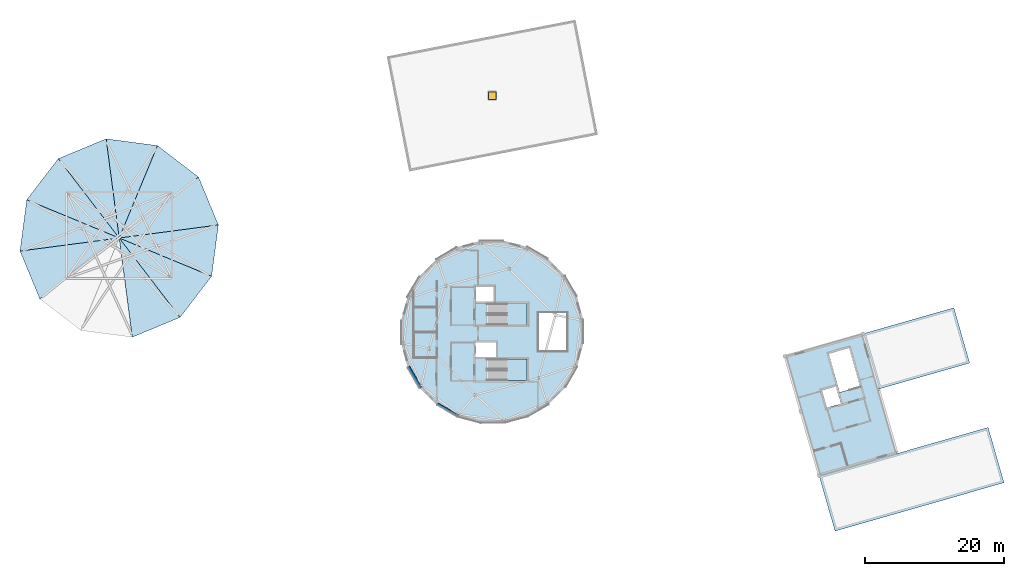
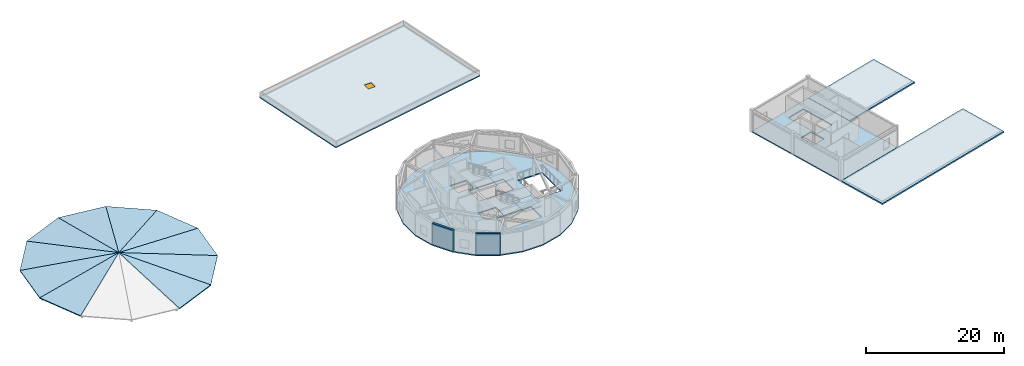
# One storey, part 5 of 11: 17 slabs, 2 walls, 1 door, 1 opening, 2 elements without a shape of their own.
"""IFC4 building model written with IfcOpenShell, lengths in metres."""

import ifcopenshell
import ifcopenshell.guid

model = None  # the IFC model being written
_history = None  # IfcOwnerHistory: only IFC2X3 demands one
_inside = {}  # id of a spatial element -> (the spatial element, [elements in it])
_under = {}  # id of a project, library or spatial element -> (it, [spatial elements below it])
_declared = {}  # id of a project -> (the project, [libraries it declares])
_typed = {}  # id of a type object -> (the type object, [elements of that type])
_made_of = {}  # id of a material, layer set ... -> (it, [elements and type objects made of it])


def new_model(schema):
    """Start an empty IFC model of exactly this schema.

    Asked for "IFC4X3", IfcOpenShell would pick the latest addendum, in which some entities
    have other attributes; the version numbers below select the first issue.
    IFC2X3 requires an IfcOwnerHistory on every rooted entity: one is made here for all.
    """
    global model, _history
    if schema == "IFC4X3":
        model = ifcopenshell.file(schema_version=(4, 3, 0, 0))
    else:
        model = ifcopenshell.file(schema=schema)
    _inside.clear()
    _under.clear()
    _declared.clear()
    _typed.clear()
    _made_of.clear()
    _history = None
    if model.schema == "IFC2X3":
        org = make("IfcOrganization", Name="unknown")
        user = make(
            "IfcPersonAndOrganization",
            ThePerson=make("IfcPerson", FamilyName="unknown"),
            TheOrganization=org,
        )
        app = make(
            "IfcApplication",
            ApplicationDeveloper=org,
            Version="unknown",
            ApplicationFullName="unknown",
            ApplicationIdentifier="unknown",
        )
        _history = make(
            "IfcOwnerHistory",
            OwningUser=user,
            OwningApplication=app,
            ChangeAction="ADDED",
            CreationDate=0,
        )
    return model


def make(cls, **values):
    """One entity of the class cls with the attributes given. An attribute that is None is left unset."""
    return model.create_entity(
        cls, **{name: value for name, value in values.items() if value is not None}
    )


def rooted(cls, **values):
    """An entity with a GlobalId (a new one), such as an element, a storey or a relation."""
    return make(cls, GlobalId=ifcopenshell.guid.new(), OwnerHistory=_history, **values)


def si_unit(unit_type, name, prefix=None):
    """IfcSIUnit, for example si_unit("LENGTHUNIT", "METRE", prefix="MILLI")."""
    return make("IfcSIUnit", UnitType=unit_type, Prefix=prefix, Name=name)


def assignment(units):
    """IfcUnitAssignment: the units of a project."""
    return None if units is None else make("IfcUnitAssignment", Units=units)


def point(xyz):
    """IfcCartesianPoint."""
    return None if xyz is None else make("IfcCartesianPoint", Coordinates=xyz)


def direction(xyz):
    """IfcDirection."""
    return None if xyz is None else make("IfcDirection", DirectionRatios=xyz)


def frame(location, z_axis=None, x_axis=None):
    """IfcAxis2Placement3D, a coordinate frame: its origin and axes. An axis left out is left unset."""
    return make(
        "IfcAxis2Placement3D",
        Location=point(location),
        Axis=direction(z_axis),
        RefDirection=direction(x_axis),
    )


def frame_2d(location, x_axis=None):
    """IfcAxis2Placement2D, a coordinate frame in the plane: its origin and x axis."""
    return make(
        "IfcAxis2Placement2D", Location=point(location), RefDirection=direction(x_axis)
    )


def origin():
    """The frame at (0, 0, 0) with its axes left unset."""
    return frame((0.0, 0.0, 0.0))


def origin_2d():
    """The frame at (0, 0) in the plane with its x axis left unset."""
    return frame_2d((0.0, 0.0))


def place(relative_to, where):
    """IfcLocalPlacement: puts the frame where relative to a parent placement (None: the world)."""
    return make(
        "IfcLocalPlacement", PlacementRelTo=relative_to, RelativePlacement=where
    )


def context(
    kind, dimensions, precision=None, world=None, true_north=None, identifier=None
):
    """IfcGeometricRepresentationContext, for example the 3D "Model" context."""
    return make(
        "IfcGeometricRepresentationContext",
        ContextIdentifier=identifier,
        ContextType=kind,
        CoordinateSpaceDimension=dimensions,
        Precision=precision,
        WorldCoordinateSystem=world,
        TrueNorth=true_north,
    )


def subcontext(parent, identifier, kind, view, scale=None):
    """IfcGeometricRepresentationSubContext, for example "Body" below "Model"."""
    return make(
        "IfcGeometricRepresentationSubContext",
        ContextIdentifier=identifier,
        ContextType=kind,
        ParentContext=parent,
        TargetScale=scale,
        TargetView=view,
    )


def project(units=None, contexts=None):
    """IfcProject with its units and contexts."""
    return rooted(
        "IfcProject",
        Name="project",
        RepresentationContexts=contexts,
        UnitsInContext=assignment(units),
    )


def spatial(cls, under=None, at=None, **own):
    """A site, building, storey or space (cls), placed at a placement, below another one or the project."""
    s = rooted(cls, ObjectPlacement=at, **own)
    if under is not None:
        _under.setdefault(under.id(), (under, []))[1].append(s)
    return s


def polyline(points):
    """IfcPolyline through the points."""
    return make("IfcPolyline", Points=[point(p) for p in points])


def profile(cls, at=None, kind="AREA", **sizes):
    """A parametric profile (cls). Its sizes go by their IFC names, for example OverallWidth=200.0."""
    return make(cls, ProfileType=kind, Position=at, **sizes)


def rectangle(**sizes):
    """IfcRectangleProfileDef."""
    return profile("IfcRectangleProfileDef", **sizes)


def outline(outer, holes=None, kind="AREA"):
    """IfcArbitraryClosedProfileDef: a profile drawn as a closed curve; with holes, ...WithVoids."""
    if holes is None:
        return make("IfcArbitraryClosedProfileDef", ProfileType=kind, OuterCurve=outer)
    return make(
        "IfcArbitraryProfileDefWithVoids",
        ProfileType=kind,
        OuterCurve=outer,
        InnerCurves=holes,
    )


def extrude(swept, where, along, depth):
    """IfcExtrudedAreaSolid: the profile swept, set in the frame where, extruded along a direction by depth."""
    return make(
        "IfcExtrudedAreaSolid",
        SweptArea=swept,
        Position=where,
        ExtrudedDirection=direction(along),
        Depth=depth,
    )


def shape(context_of_items, identifier, shape_type, items):
    """IfcShapeRepresentation: the items that make up one representation, for example the "Body"."""
    return make(
        "IfcShapeRepresentation",
        ContextOfItems=context_of_items,
        RepresentationIdentifier=identifier,
        RepresentationType=shape_type,
        Items=items,
    )


def material(Name=None, Category=None):
    """IfcMaterial."""
    return make("IfcMaterial", Name=Name, Category=Category)


def layer(
    of_material, thickness, ventilated=None, Name=None, Category=None, Priority=None
):
    """IfcMaterialLayer: one layer of a wall or slab, of a material (None: an air gap)."""
    return make(
        "IfcMaterialLayer",
        Material=of_material,
        LayerThickness=thickness,
        IsVentilated=ventilated,
        Name=Name,
        Category=Category,
        Priority=Priority,
    )


def layer_set(layers, Name=None):
    """IfcMaterialLayerSet."""
    return make("IfcMaterialLayerSet", MaterialLayers=layers, LayerSetName=Name)


def made_of(thing, what):
    """Note that an element or type object is made of a material, layer set ...; save() writes the relation."""
    if what is not None:
        _made_of.setdefault(what.id(), (what, []))[1].append(thing)
    return thing


def type_object(cls, material=None, **own):
    """A type object (cls), such as IfcWallType, which elements share."""
    return made_of(rooted(cls, **own), material)


def element(
    cls,
    number,
    at=None,
    inside=None,
    cuts=None,
    type_object=None,
    material=None,
    context=None,
    identifier="Body",
    shape_type=None,
    held_by="IfcProductDefinitionShape",
    body=None,
    shapes=None,
    **own,
):
    """One element of the class cls, such as IfcWall. Its Tag is "e" and its number.

    at: its placement. inside: the storey or other place that contains it. cuts: it is an
    opening in that element (IfcRelVoidsElement). A single representation is given by context,
    identifier, shape_type and body (its items); several are given by shapes. held_by: the class
    of the entity that holds the representations. save() writes the other relations.
    """
    e = rooted(cls, Tag="e%d" % number, ObjectPlacement=at, **own)
    if body is not None:
        shapes = [shape(context, identifier, shape_type, body)]
    if shapes is not None:
        e.Representation = make(held_by, Representations=shapes)
    if inside is not None:
        _inside.setdefault(inside.id(), (inside, []))[1].append(e)
    if cuts is not None:
        rooted(
            "IfcRelVoidsElement", RelatingBuildingElement=cuts, RelatedOpeningElement=e
        )
    if type_object is not None:
        _typed.setdefault(type_object.id(), (type_object, []))[1].append(e)
    return made_of(e, material)


def fill(opening, filler):
    """IfcRelFillsElement: the door or window that sits in an opening."""
    return rooted(
        "IfcRelFillsElement",
        RelatingOpeningElement=opening,
        RelatedBuildingElement=filler,
    )


def aggregate(whole, parts):
    """IfcRelAggregates: a whole, such as a stair, and the parts it consists of."""
    return rooted("IfcRelAggregates", RelatingObject=whole, RelatedObjects=parts)


def save(model, path):
    """Write the relations noted so far, then the file.

    IfcRelAggregates (storeys below a building ...), IfcRelContainedInSpatialStructure (elements
    in a storey), IfcRelDefinesByType, IfcRelAssociatesMaterial and IfcRelDeclares: one each for
    every whole, place, type object, material and project.
    """
    for whole, parts in _under.values():
        aggregate(whole, parts)
    for where, things in _inside.values():
        rooted(
            "IfcRelContainedInSpatialStructure",
            RelatedElements=things,
            RelatingStructure=where,
        )
    for kind, things in _typed.values():
        rooted("IfcRelDefinesByType", RelatedObjects=things, RelatingType=kind)
    for what, things in _made_of.values():
        rooted("IfcRelAssociatesMaterial", RelatedObjects=things, RelatingMaterial=what)
    for by, libraries in _declared.values():
        rooted("IfcRelDeclares", RelatingContext=by, RelatedDefinitions=libraries)
    model.write(path)


model = new_model("IFC4")

# Units and contexts
model_context = context("Model", 3, precision=1e-05, world=origin(), true_north=direction((0.0, 1.0)))
body_context = subcontext(model_context, "Body", "Model", "MODEL_VIEW")
ifc_project = project(units=[si_unit("LENGTHUNIT", "METRE"), si_unit("AREAUNIT", "SQUARE_METRE"), si_unit("VOLUMEUNIT", "CUBIC_METRE"), si_unit("PLANEANGLEUNIT", "RADIAN"), si_unit("MASSUNIT", "GRAM", prefix="KILO")], contexts=[model_context])

# Site, building, storey
site_placement = place(None, origin())
site = spatial("IfcSite", under=ifc_project, at=site_placement, CompositionType="ELEMENT")
building_placement = place(site_placement, origin())
building = spatial("IfcBuilding", under=site, at=building_placement, Name="Varnklinge Art Gallery", CompositionType="ELEMENT")
storey_placement = place(building_placement, frame((0.0, 0.0, 17.639892578125)))
storey = spatial("IfcBuildingStorey", under=building, at=storey_placement, Name="L04", CompositionType="ELEMENT", Elevation=17.639892578125)

# Slabs
ifc_material_1 = material(Name="Concrete C35/45", Category="concrete")
ifc_layer_1 = layer(ifc_material_1, 0.199951171875)
ifc_layer_set_1 = layer_set([ifc_layer_1], Name="Concrete C35/45")
slab_type_1 = type_object("IfcSlabType", Name="SLB-F20", PredefinedType="FLOOR", material=ifc_layer_set_1)
slab_1_placement = place(storey_placement, frame((0.0, 0.0, -0.199951171875)))
element("IfcSlab", 1, at=slab_1_placement, inside=storey, type_object=slab_type_1, Name="L04 Pavilion Drum Floor Slab", PredefinedType="FLOOR", context=body_context, shape_type="SweptSolid", body=[
    extrude(outline(polyline([(83.53564453125, 28.027587890625), (85.972412109375, 30.46435546875), (87.6953125, 33.448486328125), (88.587158203125, 36.777099609375), (88.587158203125, 40.222900390625), (87.6953125, 43.551513671875), (85.972412109375, 46.53564453125), (83.53564453125, 48.972412109375), (80.551513671875, 50.6953125), (77.222900390625, 51.587158203125), (73.777099609375, 51.587158203125), (70.448486328125, 50.6953125), (67.46435546875, 48.972412109375), (65.027587890625, 46.53564453125), (63.3046875, 43.551513671875), (62.412841796875, 40.222900390625), (62.412841796875, 36.777099609375), (63.3046875, 33.448486328125), (65.027587890625, 30.46435546875), (67.46435546875, 28.027587890625), (70.448486328125, 26.3046875), (73.777099609375, 25.412841796875), (77.222900390625, 25.412841796875), (80.551513671875, 26.3046875), (83.53564453125, 28.027587890625)]), holes=[polyline([(80.5, 31.5), (74.72509765625, 31.5), (74.72509765625, 34.56005859375), (80.5, 34.56005859375), (80.5, 31.5)]), polyline([(73.10009765625, 34.860107421875), (73.10009765625, 36.9599609375), (76.0, 36.9599609375), (76.0, 34.860107421875), (73.10009765625, 34.860107421875)]), polyline([(82.199951171875, 41.199951171875), (86.199951171875, 41.199951171875), (86.199951171875, 35.800048828125), (82.199951171875, 35.800048828125), (82.199951171875, 41.199951171875)]), polyline([(80.5, 39.5), (74.72509765625, 39.5), (74.72509765625, 42.56005859375), (80.5, 42.56005859375), (80.5, 39.5)]), polyline([(73.10009765625, 42.860107421875), (73.10009765625, 44.9599609375), (75.699951171875, 44.9599609375), (75.699951171875, 42.860107421875), (73.10009765625, 42.860107421875)])]), origin(), (0.0, 0.0, 1.0), 0.199951171875),
])
slab_2_placement = place(storey_placement, frame((0.0, 0.0, -0.199951171875)))
element("IfcSlab", 2, at=slab_2_placement, inside=storey, type_object=slab_type_1, Name="L04 Artists Studios Courtyard Wing Slab", PredefinedType="FLOOR", context=body_context, shape_type="SweptSolid", body=[
    extrude(outline(polyline([(117.605712890625, 34.9931640625), (122.539794921875, 17.78662109375), (133.78662109375, 21.01171875), (128.8525390625, 38.21826171875), (117.605712890625, 34.9931640625)]), holes=[polyline([(123.6552734375, 27.565185546875), (122.9384765625, 30.064453125), (124.95703125, 30.643310546875), (125.673828125, 28.14404296875), (123.6552734375, 27.565185546875)]), polyline([(123.92236328125, 35.340087890625), (126.864013671875, 36.18359375), (128.455810546875, 30.632080078125), (125.51416015625, 29.788818359375), (123.92236328125, 35.340087890625)])]), origin(), (0.0, 0.0, 1.0), 0.199951171875),
])
ifc_material_2 = material(Name="Concrete C40/50", Category="concrete")
ifc_layer_2 = layer(ifc_material_2, 0.179931640625)
ifc_layer_set_2 = layer_set([ifc_layer_2], Name="Concrete C40/50")
slab_type_2 = type_object("IfcSlabType", Name="SLB-FOLD18", PredefinedType="ROOF", material=ifc_layer_set_2)
slab_3_placement = place(storey_placement, frame((36.076904296875, 53.879638671875, 0.0), z_axis=(0.121165095763, 0.050189420317, 0.991362719521), x_axis=(-0.382691205635, 0.923876312679, 0.0)))
element("IfcSlab", 3, at=slab_3_placement, inside=storey, type_object=slab_type_2, Name="Auditorium Drum Folded Roof Facet 1", PredefinedType="ROOF", context=body_context, shape_type="SweptSolid", body=[
    extrude(outline(polyline([(0.0, 0.0), (7.453892382417051, -4.440892098500626e-16), (3.727073386670102, 14.030555620786549), (0.0, 0.0)])), origin(), (0.0, 0.0, -1.0), 0.179931640625),
])
slab_4_placement = place(storey_placement, frame((33.224365234375, 60.76611328125, 0.0), z_axis=(0.079838645072, 0.1040475332, 0.991362648877), x_axis=(-0.79335273335, 0.608762219989, 0.0)))
element("IfcSlab", 4, at=slab_4_placement, inside=storey, type_object=slab_type_2, Name="Auditorium Drum Folded Roof Facet 2", PredefinedType="ROOF", context=body_context, shape_type="SweptSolid", body=[
    extrude(outline(polyline([(0.0, 0.0), (7.454210606170619, 0.0), (3.727034065792945, 14.030498491766581), (0.0, 0.0)])), origin(), (0.0, 0.0, -1.0), 0.179931640625),
])
slab_5_placement = place(storey_placement, frame((27.310546875, 65.303955078125, 0.0), z_axis=(0.017117796037, 0.130026520967, 0.991362741333), x_axis=(-0.991445374669, 0.130522293296, 0.0)))
element("IfcSlab", 5, at=slab_5_placement, inside=storey, type_object=slab_type_2, Name="Auditorium Drum Folded Roof Facet 3", PredefinedType="ROOF", context=body_context, shape_type="SweptSolid", body=[
    extrude(outline(polyline([(0.0, 0.0), (7.453902058109919, 1.1102230246251565e-16), (3.726895073999666, 14.030573259778198), (0.0, 0.0)])), origin(), (0.0, 0.0, -1.0), 0.179931640625),
])
slab_6_placement = place(storey_placement, frame((19.92041015625, 66.27685546875, 0.0), z_axis=(-0.050187735966, 0.121165324899, 0.991362776788), x_axis=(-0.923881109287, -0.38267962567, 0.0)))
element("IfcSlab", 6, at=slab_6_placement, inside=storey, type_object=slab_type_2, Name="Auditorium Drum Folded Roof Facet 4", PredefinedType="ROOF", context=body_context, shape_type="SweptSolid", body=[
    extrude(outline(polyline([(0.0, 0.0), (7.454117938742984, 0.0), (3.7268990452992807, 14.030601931626345), (0.0, 0.0)])), origin(), (0.0, 0.0, -1.0), 0.179931640625),
])
slab_7_placement = place(storey_placement, frame((13.03369140625, 63.42431640625, 0.0), z_axis=(-0.104048895745, 0.079835395133, 0.991362767597), x_axis=(-0.608741604956, -0.793368551428, 0.0)))
element("IfcSlab", 7, at=slab_7_placement, inside=storey, type_object=slab_type_2, Name="Auditorium Drum Folded Roof Facet 5", PredefinedType="ROOF", context=body_context, shape_type="SweptSolid", body=[
    extrude(outline(polyline([(0.0, 0.0), (7.454061985098214, 4.440892098500626e-16), (3.7272468716765585, 14.030594499199882), (0.0, 0.0)])), origin(), (0.0, 0.0, -1.0), 0.179931640625),
])
slab_8_placement = place(storey_placement, frame((8.49609375, 57.510498046875, 0.0), z_axis=(-0.130026520967, 0.017117796037, 0.991362741333), x_axis=(-0.130522293296, -0.991445374669, 0.0)))
element("IfcSlab", 8, at=slab_8_placement, inside=storey, type_object=slab_type_2, Name="Auditorium Drum Folded Roof Facet 6", PredefinedType="ROOF", context=body_context, shape_type="SweptSolid", body=[
    extrude(outline(polyline([(0.0, 0.0), (7.453902058109919, 1.1102230246251565e-16), (3.726895073999666, 14.030573259778198), (0.0, 0.0)])), origin(), (0.0, 0.0, -1.0), 0.179931640625),
])
for number, where, z_axis, x_axis, name in (
    (9, (7.523193359375, 50.120361328125, 0.0), (-0.121165095763, -0.050189420317, 0.991362719521), (0.382691205635, -0.923876312679, 0.0), "Auditorium Drum Folded Roof Facet 7"),
    (10, (23.6796875, 37.72314453125, 0.0), (0.050189420317, -0.121165095763, 0.991362719521), (0.923876312679, 0.382691205635, 0.0), "Auditorium Drum Folded Roof Facet 10"),
):
    element("IfcSlab", number, at=place(storey_placement, frame(where, z_axis=z_axis, x_axis=x_axis)), inside=storey, type_object=slab_type_2, Name=name, PredefinedType="ROOF", context=body_context, shape_type="SweptSolid", body=[
        extrude(outline(polyline([(0.0, 0.0), (7.453892382417051, -4.440892098500626e-16), (3.727073386670102, 14.030555620786549), (0.0, 0.0)])), origin(), (0.0, 0.0, -1.0), 0.179931640625),
    ])
slab_9_placement = place(storey_placement, frame((30.566162109375, 40.57568359375, 0.0), z_axis=(0.1040475332, -0.079838645072, 0.991362648877), x_axis=(0.608762219989, 0.79335273335, 0.0)))
element("IfcSlab", 11, at=slab_9_placement, inside=storey, type_object=slab_type_2, Name="Auditorium Drum Folded Roof Facet 11", PredefinedType="ROOF", context=body_context, shape_type="SweptSolid", body=[
    extrude(outline(polyline([(0.0, 0.0), (7.454210606170619, 0.0), (3.727034065792945, 14.030498491766581), (0.0, 0.0)])), origin(), (0.0, 0.0, -1.0), 0.179931640625),
])
slab_10_placement = place(storey_placement, frame((35.10400390625, 46.489501953125, 0.0), z_axis=(0.130026520967, -0.017117796037, 0.991362741333), x_axis=(0.130522293296, 0.991445374669, 0.0)))
element("IfcSlab", 12, at=slab_10_placement, inside=storey, type_object=slab_type_2, Name="Auditorium Drum Folded Roof Facet 12", PredefinedType="ROOF", context=body_context, shape_type="SweptSolid", body=[
    extrude(outline(polyline([(0.0, 0.0), (7.453902058109919, 1.1102230246251565e-16), (3.726895073999666, 14.030573259778198), (0.0, 0.0)])), origin(), (0.0, 0.0, -1.0), 0.179931640625),
])

# Stair, slab
ifc_material_3 = material(Name="Concrete C40/50", Category="concrete")
stair_type = type_object("IfcStairType", Name="STR-C3960", PredefinedType="HALF_TURN_STAIR", material=ifc_material_3)
stair_1_placement = place(storey_placement, origin())
stair_1 = element("IfcStair", 13, at=stair_1_placement, inside=storey, type_object=stair_type, Name="L04 Core C1 Stair ST-01", PredefinedType="HALF_TURN_STAIR")
ifc_material_4 = material(Name="Concrete C40/50", Category="concrete")
ifc_layer_3 = layer(ifc_material_4, 0.199951171875)
ifc_layer_set_3 = layer_set([ifc_layer_3], Name="Concrete C40/50")
slab_type_3 = type_object("IfcSlabType", Name="SLB-LND20", PredefinedType="LANDING", material=ifc_layer_set_3)
slab_11_placement = place(storey_placement, frame((0.0, 0.0, 1.780029296875)))
slab_11 = element("IfcSlab", 14, at=slab_11_placement, type_object=slab_type_3, Name="ST-01 landing 1", PredefinedType="LANDING", context=body_context, shape_type="SweptSolid", body=[
    extrude(outline(polyline([(77.570068359375, 31.5), (80.5, 31.5), (80.5, 34.56005859375), (77.570068359375, 34.56005859375), (77.570068359375, 31.5)])), origin(), (0.0, 0.0, 1.0), 0.2001953125),
])
aggregate(stair_1, [slab_11])

stair_2_placement = place(storey_placement, origin())
stair_2 = element("IfcStair", 15, at=stair_2_placement, inside=storey, type_object=stair_type, Name="L04 Core C2 Stair ST-02", PredefinedType="HALF_TURN_STAIR")
slab_12_placement = place(storey_placement, frame((0.0, 0.0, 1.780029296875)))
slab_12 = element("IfcSlab", 16, at=slab_12_placement, type_object=slab_type_3, Name="ST-02 landing 1", PredefinedType="LANDING", context=body_context, shape_type="SweptSolid", body=[
    extrude(outline(polyline([(77.570068359375, 39.5), (80.5, 39.5), (80.5, 42.56005859375), (77.570068359375, 42.56005859375), (77.570068359375, 39.5)])), origin(), (0.0, 0.0, 1.0), 0.2001953125),
])
aggregate(stair_2, [slab_12])

# Slab, opening, door
ifc_material_5 = material(Name="Concrete C35/45", Category="concrete")
ifc_layer_4 = layer(ifc_material_5, 0.199951171875)
ifc_layer_set_4 = layer_set([ifc_layer_4], Name="Concrete C35/45")
slab_type_4 = type_object("IfcSlabType", Name="SLB-ROOF20", PredefinedType="ROOF", material=ifc_layer_set_4)
slab_13_placement = place(storey_placement, frame((0.0, 0.0, -0.199951171875)))
slab_13 = element("IfcSlab", 17, at=slab_13_placement, inside=storey, type_object=slab_type_4, Name="L04 Lattice Exhibition Box Roof Slab", PredefinedType="ROOF", context=body_context, shape_type="SweptSolid", body=[
    extrude(outline(polyline([(63.556396484375, 61.62109375), (90.6494140625, 66.887451171875), (87.443603515625, 83.37890625), (60.3505859375, 78.112548828125), (63.556396484375, 61.62109375)]), holes=[polyline([(74.949951171875, 71.949951171875), (74.949951171875, 73.050048828125), (76.050048828125, 73.050048828125), (76.050048828125, 71.949951171875), (74.949951171875, 71.949951171875)])]), origin(), (0.0, 0.0, 1.0), 0.199951171875),
])
opening_placement = place(slab_13_placement, frame((75.5, 72.5, 0.0)))
opening = element("IfcOpeningElement", 18, at=opening_placement, cuts=slab_13, Name="Opening RH-02", PredefinedType="OPENING", context=body_context, shape_type="SweptSolid", body=[
    extrude(rectangle(XDim=1.10009765625, YDim=1.10009765625, at=origin_2d()), origin(), (0.0, 0.0, 1.0), 0.199951171875),
])
ifc_material_6 = material(Name="Anodised Aluminium", Category="aluminium")
door_type = type_object("IfcDoorType", Name="RH-T1", OperationType="SINGLE_SWING_LEFT", PredefinedType="TRAPDOOR", material=ifc_material_6)
door_placement = place(opening_placement, frame((0.0, 0.0, 0.14990234375)))
door = element("IfcDoor", 19, at=door_placement, inside=storey, type_object=door_type, Name="L04 Roof Maintenance Access Hatch RH-02", OperationType="SINGLE_SWING_LEFT", OverallHeight=1.10009765625, OverallWidth=1.10009765625, PredefinedType="TRAPDOOR", context=body_context, shape_type="SweptSolid", body=[
    extrude(rectangle(XDim=1.10009765625, YDim=1.10009765625, at=origin_2d()), origin(), (0.0, 0.0, 1.0), 0.050048828125),
])
fill(opening, door)

# Slabs
ifc_material_7 = material(Name="Concrete C35/45", Category="concrete")
ifc_layer_5 = layer(ifc_material_7, 0.239990234375)
ifc_layer_set_5 = layer_set([ifc_layer_5], Name="Concrete C35/45")
slab_type_5 = type_object("IfcSlabType", Name="SLB-ROOF24", PredefinedType="ROOF", material=ifc_layer_set_5)
slab_14_placement = place(storey_placement, frame((0.0, 0.0, -0.239990234375)))
element("IfcSlab", 20, at=slab_14_placement, inside=storey, type_object=slab_type_5, Name="L04 Studios South Stepped Green Roof", PredefinedType="ROOF", context=body_context, shape_type="SweptSolid", body=[
    extrude(outline(polyline([(149.1474609375, 16.78173828125), (146.865234375, 24.7412109375), (122.545166015625, 17.767333984375), (124.827392578125, 9.80810546875), (149.1474609375, 16.78173828125)])), origin(), (0.0, 0.0, 1.0), 0.239990234375),
])
slab_15_placement = place(storey_placement, frame((0.0, 0.0, -0.239990234375)))
element("IfcSlab", 21, at=slab_15_placement, inside=storey, type_object=slab_type_5, Name="L04 Studios North Stepped Green Roof", PredefinedType="ROOF", context=body_context, shape_type="SweptSolid", body=[
    extrude(outline(polyline([(144.2080078125, 34.007568359375), (141.92578125, 41.966796875), (128.871826171875, 38.2236328125), (131.154052734375, 30.264404296875), (144.2080078125, 34.007568359375)])), origin(), (0.0, 0.0, 1.0), 0.239990234375),
])

# Walls
ifc_material_8 = material(Name="Precast concrete C40/50", Category="concrete")
ifc_layer_6 = layer(ifc_material_8, 0.320068359375)
ifc_layer_set_6 = layer_set([ifc_layer_6], Name="Precast concrete C40/50")
wall_type = type_object("IfcWallType", Name="EW-32", PredefinedType="SOLIDWALL", material=ifc_layer_set_6)
for number, where, z_axis, x_axis, name in (
    (22, (70.64892578125, 26.373779296875, 0.0), (0.0, 0.0, 1.0), (-0.866021313335, 0.500007084799, 0.0), "L04 Exterior Wall EW-V4D-L04-09"),
    (23, (65.235595703125, 30.423828125, 0.0), (0.0, 0.0, 1.0), (-0.499926044331, 0.8660680979, 0.0), "L04 Exterior Wall EW-V4D-L04-11"),
):
    element("IfcWall", number, at=place(storey_placement, frame(where, z_axis=z_axis, x_axis=x_axis)), inside=storey, type_object=wall_type, Name=name, PredefinedType="SOLIDWALL", context=body_context, shape_type="SweptSolid", body=[
        extrude(rectangle(XDim=3.56396484375, YDim=0.320068359375, at=frame_2d((1.781982421875, 0.0))), origin(), (0.0, 0.0, 1.0), 3.739990234375),
    ])

save(model, "model.ifc")
